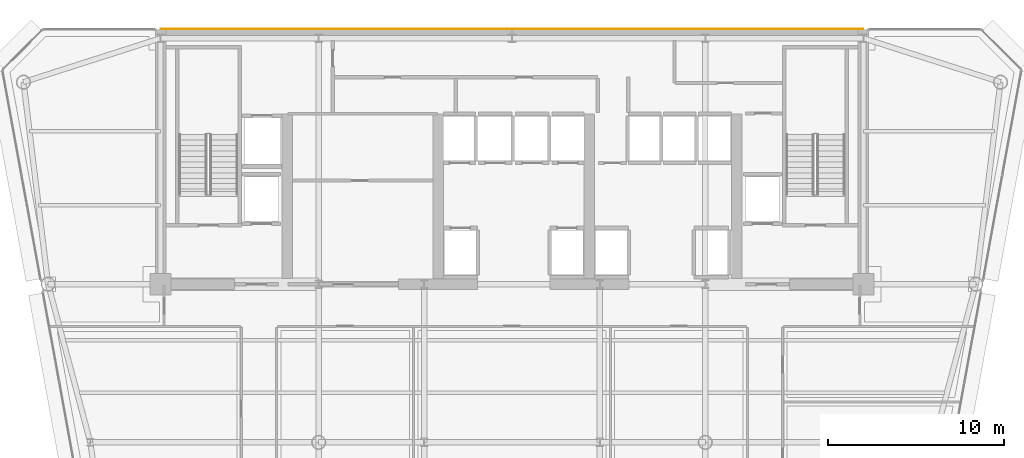
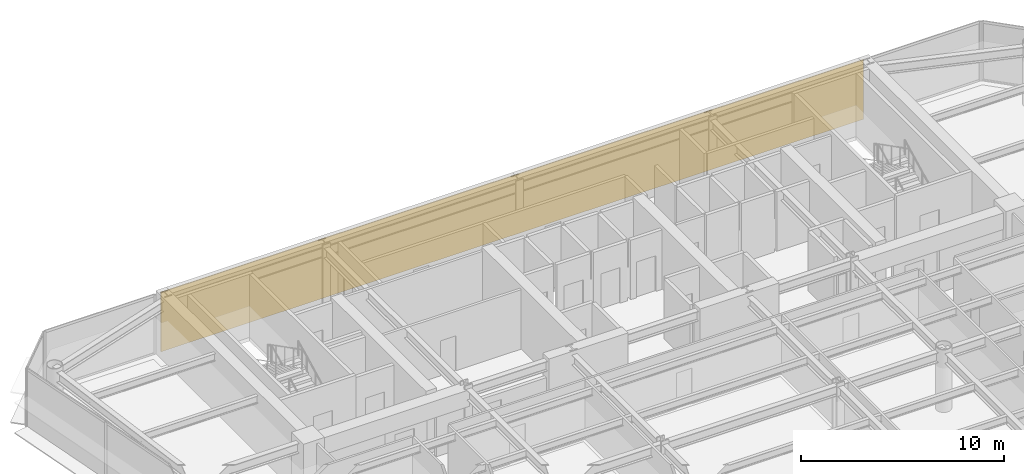
# One storey, part 16 of 17: 1 covering.
"""IFC4 building model written with IfcOpenShell, lengths in metres."""

from ifc_helpers import new_model, si_unit, direction, frame, origin, place, context, subcontext, project, spatial, polyline, outline, extrude, material, layer, layer_set, type_object, element, save


model = new_model("IFC4")

# Units and contexts
model_context = context("Model", 3, precision=1e-05, world=origin(), true_north=direction((0.0, 1.0)))
body_context = subcontext(model_context, "Body", "Model", "MODEL_VIEW")
ifc_project = project(units=[si_unit("LENGTHUNIT", "METRE"), si_unit("AREAUNIT", "SQUARE_METRE"), si_unit("VOLUMEUNIT", "CUBIC_METRE"), si_unit("PLANEANGLEUNIT", "RADIAN"), si_unit("MASSUNIT", "GRAM", prefix="KILO")], contexts=[model_context])

# Site, building, storey
site_placement = place(None, origin())
site = spatial("IfcSite", under=ifc_project, at=site_placement, CompositionType="ELEMENT")
building_placement = place(site_placement, origin())
building = spatial("IfcBuilding", under=site, at=building_placement, Name="Vaeldorn Concourse Tower", CompositionType="ELEMENT")
storey_placement = place(building_placement, frame((0.0, 0.0, 169.0)))
storey = spatial("IfcBuildingStorey", under=building, at=storey_placement, Name="L43", CompositionType="ELEMENT", Elevation=169.0)

# Covering
ifc_material = material(Name="Anodised Bronze Aluminium", Category="aluminium")
ifc_layer = layer(ifc_material, 0.050048828125)
ifc_layer_set = layer_set([ifc_layer], Name="Anodised Bronze Aluminium")
covering_type = type_object("IfcCoveringType", Name="COV-CLAD-BRONZE", PredefinedType="CLADDING", material=ifc_layer_set)
covering_placement = place(storey_placement, origin())
element("IfcCovering", 1, at=covering_placement, inside=storey, type_object=covering_type, Name="Rear Core Bronze Spandrel Cladding L43", PredefinedType="CLADDING", context=body_context, shape_type="SweptSolid", body=[
    extrude(outline(polyline([(14.0, 51.0), (54.0, 51.0), (54.0, 51.050048828125), (14.0, 51.050048828125), (14.0, 51.0)])), origin(), (0.0, 0.0, 1.0), 3.580078125),
])

save(model, "model.ifc")
